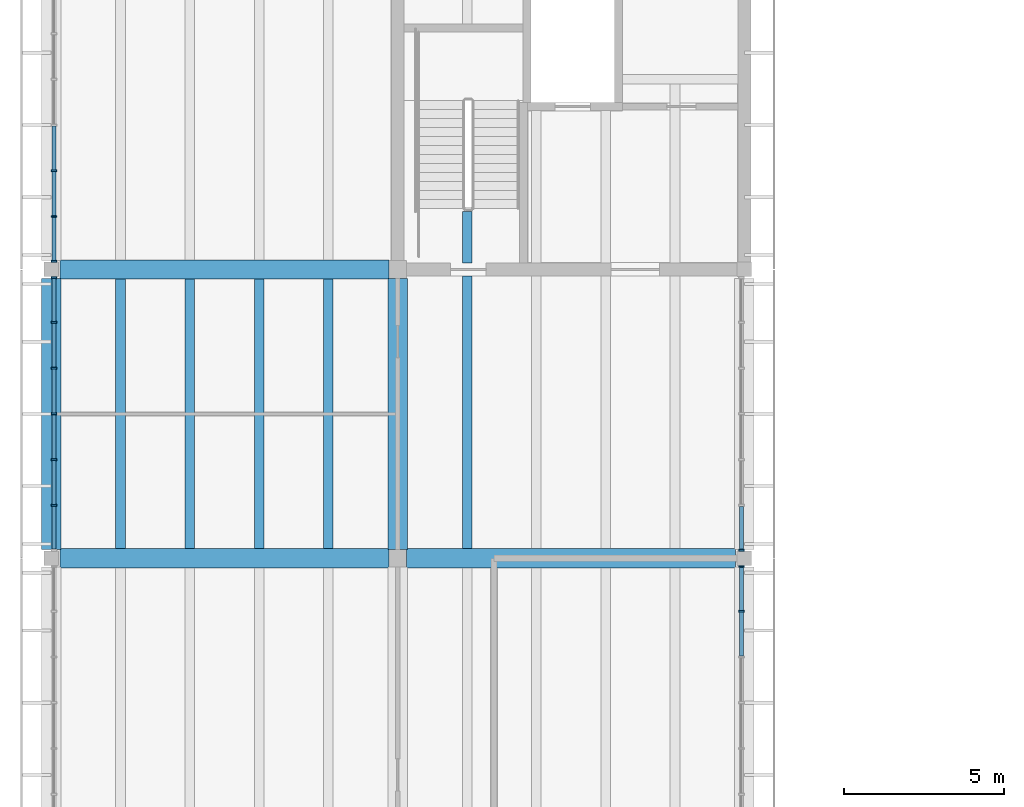
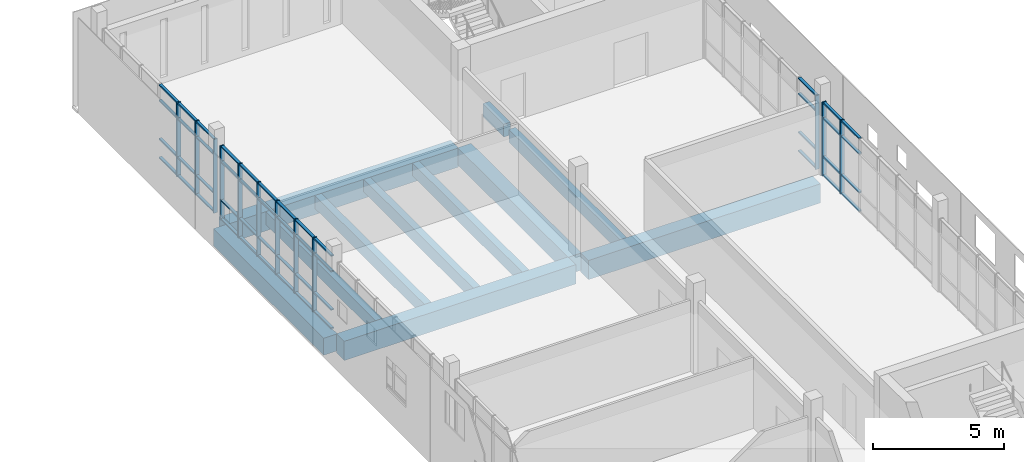
# One storey, part 14 of 50: 60 members, 11 beams, 4 elements without a shape of their own.
"""IFC4 building model written with IfcOpenShell, lengths in metres."""

import ifcopenshell
import ifcopenshell.guid

model = None  # the IFC model being written
_history = None  # IfcOwnerHistory: only IFC2X3 demands one
_inside = {}  # id of a spatial element -> (the spatial element, [elements in it])
_under = {}  # id of a project, library or spatial element -> (it, [spatial elements below it])
_declared = {}  # id of a project -> (the project, [libraries it declares])
_typed = {}  # id of a type object -> (the type object, [elements of that type])
_made_of = {}  # id of a material, layer set ... -> (it, [elements and type objects made of it])


def new_model(schema):
    """Start an empty IFC model of exactly this schema.

    Asked for "IFC4X3", IfcOpenShell would pick the latest addendum, in which some entities
    have other attributes; the version numbers below select the first issue.
    IFC2X3 requires an IfcOwnerHistory on every rooted entity: one is made here for all.
    """
    global model, _history
    if schema == "IFC4X3":
        model = ifcopenshell.file(schema_version=(4, 3, 0, 0))
    else:
        model = ifcopenshell.file(schema=schema)
    _inside.clear()
    _under.clear()
    _declared.clear()
    _typed.clear()
    _made_of.clear()
    _history = None
    if model.schema == "IFC2X3":
        org = make("IfcOrganization", Name="unknown")
        user = make(
            "IfcPersonAndOrganization",
            ThePerson=make("IfcPerson", FamilyName="unknown"),
            TheOrganization=org,
        )
        app = make(
            "IfcApplication",
            ApplicationDeveloper=org,
            Version="unknown",
            ApplicationFullName="unknown",
            ApplicationIdentifier="unknown",
        )
        _history = make(
            "IfcOwnerHistory",
            OwningUser=user,
            OwningApplication=app,
            ChangeAction="ADDED",
            CreationDate=0,
        )
    return model


def make(cls, **values):
    """One entity of the class cls with the attributes given. An attribute that is None is left unset."""
    return model.create_entity(
        cls, **{name: value for name, value in values.items() if value is not None}
    )


def rooted(cls, **values):
    """An entity with a GlobalId (a new one), such as an element, a storey or a relation."""
    return make(cls, GlobalId=ifcopenshell.guid.new(), OwnerHistory=_history, **values)


def si_unit(unit_type, name, prefix=None):
    """IfcSIUnit, for example si_unit("LENGTHUNIT", "METRE", prefix="MILLI")."""
    return make("IfcSIUnit", UnitType=unit_type, Prefix=prefix, Name=name)


def assignment(units):
    """IfcUnitAssignment: the units of a project."""
    return None if units is None else make("IfcUnitAssignment", Units=units)


def point(xyz):
    """IfcCartesianPoint."""
    return None if xyz is None else make("IfcCartesianPoint", Coordinates=xyz)


def direction(xyz):
    """IfcDirection."""
    return None if xyz is None else make("IfcDirection", DirectionRatios=xyz)


def frame(location, z_axis=None, x_axis=None):
    """IfcAxis2Placement3D, a coordinate frame: its origin and axes. An axis left out is left unset."""
    return make(
        "IfcAxis2Placement3D",
        Location=point(location),
        Axis=direction(z_axis),
        RefDirection=direction(x_axis),
    )


def frame_2d(location, x_axis=None):
    """IfcAxis2Placement2D, a coordinate frame in the plane: its origin and x axis."""
    return make(
        "IfcAxis2Placement2D", Location=point(location), RefDirection=direction(x_axis)
    )


def origin():
    """The frame at (0, 0, 0) with its axes left unset."""
    return frame((0.0, 0.0, 0.0))


def origin_2d():
    """The frame at (0, 0) in the plane with its x axis left unset."""
    return frame_2d((0.0, 0.0))


def place(relative_to, where):
    """IfcLocalPlacement: puts the frame where relative to a parent placement (None: the world)."""
    return make(
        "IfcLocalPlacement", PlacementRelTo=relative_to, RelativePlacement=where
    )


def context(
    kind, dimensions, precision=None, world=None, true_north=None, identifier=None
):
    """IfcGeometricRepresentationContext, for example the 3D "Model" context."""
    return make(
        "IfcGeometricRepresentationContext",
        ContextIdentifier=identifier,
        ContextType=kind,
        CoordinateSpaceDimension=dimensions,
        Precision=precision,
        WorldCoordinateSystem=world,
        TrueNorth=true_north,
    )


def subcontext(parent, identifier, kind, view, scale=None):
    """IfcGeometricRepresentationSubContext, for example "Body" below "Model"."""
    return make(
        "IfcGeometricRepresentationSubContext",
        ContextIdentifier=identifier,
        ContextType=kind,
        ParentContext=parent,
        TargetScale=scale,
        TargetView=view,
    )


def project(units=None, contexts=None):
    """IfcProject with its units and contexts."""
    return rooted(
        "IfcProject",
        Name="project",
        RepresentationContexts=contexts,
        UnitsInContext=assignment(units),
    )


def spatial(cls, under=None, at=None, **own):
    """A site, building, storey or space (cls), placed at a placement, below another one or the project."""
    s = rooted(cls, ObjectPlacement=at, **own)
    if under is not None:
        _under.setdefault(under.id(), (under, []))[1].append(s)
    return s


def profile(cls, at=None, kind="AREA", **sizes):
    """A parametric profile (cls). Its sizes go by their IFC names, for example OverallWidth=200.0."""
    return make(cls, ProfileType=kind, Position=at, **sizes)


def rectangle(**sizes):
    """IfcRectangleProfileDef."""
    return profile("IfcRectangleProfileDef", **sizes)


def extrude(swept, where, along, depth):
    """IfcExtrudedAreaSolid: the profile swept, set in the frame where, extruded along a direction by depth."""
    return make(
        "IfcExtrudedAreaSolid",
        SweptArea=swept,
        Position=where,
        ExtrudedDirection=direction(along),
        Depth=depth,
    )


def shape(context_of_items, identifier, shape_type, items):
    """IfcShapeRepresentation: the items that make up one representation, for example the "Body"."""
    return make(
        "IfcShapeRepresentation",
        ContextOfItems=context_of_items,
        RepresentationIdentifier=identifier,
        RepresentationType=shape_type,
        Items=items,
    )


def material(Name=None, Category=None):
    """IfcMaterial."""
    return make("IfcMaterial", Name=Name, Category=Category)


def material_profile(
    of_material, cross_section, Name=None, Category=None, Priority=None
):
    """IfcMaterialProfile: a cross section and its material."""
    return make(
        "IfcMaterialProfile",
        Name=Name,
        Material=of_material,
        Profile=cross_section,
        Priority=Priority,
        Category=Category,
    )


def profile_set(profiles, Name=None, composite=None):
    """IfcMaterialProfileSet."""
    return make(
        "IfcMaterialProfileSet",
        Name=Name,
        MaterialProfiles=profiles,
        CompositeProfile=composite,
    )


def made_of(thing, what):
    """Note that an element or type object is made of a material, layer set ...; save() writes the relation."""
    if what is not None:
        _made_of.setdefault(what.id(), (what, []))[1].append(thing)
    return thing


def type_object(cls, material=None, **own):
    """A type object (cls), such as IfcWallType, which elements share."""
    return made_of(rooted(cls, **own), material)


def element(
    cls,
    number,
    at=None,
    inside=None,
    cuts=None,
    type_object=None,
    material=None,
    context=None,
    identifier="Body",
    shape_type=None,
    held_by="IfcProductDefinitionShape",
    body=None,
    shapes=None,
    **own,
):
    """One element of the class cls, such as IfcWall. Its Tag is "e" and its number.

    at: its placement. inside: the storey or other place that contains it. cuts: it is an
    opening in that element (IfcRelVoidsElement). A single representation is given by context,
    identifier, shape_type and body (its items); several are given by shapes. held_by: the class
    of the entity that holds the representations. save() writes the other relations.
    """
    e = rooted(cls, Tag="e%d" % number, ObjectPlacement=at, **own)
    if body is not None:
        shapes = [shape(context, identifier, shape_type, body)]
    if shapes is not None:
        e.Representation = make(held_by, Representations=shapes)
    if inside is not None:
        _inside.setdefault(inside.id(), (inside, []))[1].append(e)
    if cuts is not None:
        rooted(
            "IfcRelVoidsElement", RelatingBuildingElement=cuts, RelatedOpeningElement=e
        )
    if type_object is not None:
        _typed.setdefault(type_object.id(), (type_object, []))[1].append(e)
    return made_of(e, material)


def aggregate(whole, parts):
    """IfcRelAggregates: a whole, such as a stair, and the parts it consists of."""
    return rooted("IfcRelAggregates", RelatingObject=whole, RelatedObjects=parts)


def save(model, path):
    """Write the relations noted so far, then the file.

    IfcRelAggregates (storeys below a building ...), IfcRelContainedInSpatialStructure (elements
    in a storey), IfcRelDefinesByType, IfcRelAssociatesMaterial and IfcRelDeclares: one each for
    every whole, place, type object, material and project.
    """
    for whole, parts in _under.values():
        aggregate(whole, parts)
    for where, things in _inside.values():
        rooted(
            "IfcRelContainedInSpatialStructure",
            RelatedElements=things,
            RelatingStructure=where,
        )
    for kind, things in _typed.values():
        rooted("IfcRelDefinesByType", RelatedObjects=things, RelatingType=kind)
    for what, things in _made_of.values():
        rooted("IfcRelAssociatesMaterial", RelatedObjects=things, RelatingMaterial=what)
    for by, libraries in _declared.values():
        rooted("IfcRelDeclares", RelatingContext=by, RelatedDefinitions=libraries)
    model.write(path)


model = new_model("IFC4")

# Units and contexts
model_context = context("Model", 3, precision=1e-05, world=origin(), true_north=direction((0.0, 1.0)))
body_context = subcontext(model_context, "Body", "Model", "MODEL_VIEW")
ifc_project = project(units=[si_unit("LENGTHUNIT", "METRE"), si_unit("AREAUNIT", "SQUARE_METRE"), si_unit("VOLUMEUNIT", "CUBIC_METRE"), si_unit("PLANEANGLEUNIT", "RADIAN"), si_unit("MASSUNIT", "GRAM", prefix="KILO")], contexts=[model_context])

# Site, building, storey
site_placement = place(None, origin())
site = spatial("IfcSite", under=ifc_project, at=site_placement, CompositionType="ELEMENT")
building_placement = place(site_placement, origin())
building = spatial("IfcBuilding", under=site, at=building_placement, Name="Merrow Basin Faculty of Sciences", CompositionType="ELEMENT")
storey_placement = place(building_placement, frame((0.0, 0.0, 18.0)))
storey = spatial("IfcBuildingStorey", under=building, at=storey_placement, Name="L04", CompositionType="ELEMENT", Elevation=18.0)

# Curtain wall, members
ifc_material_1 = material(Name="Aluminium alloy 6063", Category="aluminium")
curtain_wall_type = type_object("IfcCurtainWallType", Name="Bar unitised curtain wall 180", PredefinedType="NOTDEFINED", material=ifc_material_1)
curtain_wall_1_placement = place(storey_placement, origin())
curtain_wall_1 = element("IfcCurtainWall", 1, at=curtain_wall_1_placement, inside=storey, type_object=curtain_wall_type, Name="West curtain wall L04 6", PredefinedType="NOTDEFINED")
ifc_material_2 = material(Name="Aluminium alloy 6063", Category="aluminium")
ifc_material_profile_1 = material_profile(ifc_material_2, rectangle(XDim=0.179931640625, YDim=0.06005859375, at=origin_2d()))
ifc_profile_set_1 = profile_set([ifc_material_profile_1], Name="Aluminium alloy 6063")
member_type_1 = type_object("IfcMemberType", Name="Aluminium mullion 60x180", PredefinedType="MULLION", material=ifc_profile_set_1)
member_1_placement = place(storey_placement, frame((0.090087890625, 116.64990234375, 0.0), z_axis=(0.0, 0.0, 1.0), x_axis=(-1.0, 0.0, 0.0)))
member_1 = element("IfcMember", 2, at=member_1_placement, type_object=member_type_1, Name="CW1 mullion 2", PredefinedType="MULLION", context=body_context, shape_type="SweptSolid", body=[
    extrude(rectangle(XDim=0.179931640625, YDim=0.06005859375, at=origin_2d()), origin(), (0.0, 0.0, 1.0), 3.449951171875),
])
member_2_placement = place(storey_placement, frame((0.090087890625, 118.074951171875, 0.0), z_axis=(0.0, 0.0, 1.0), x_axis=(-1.0, 0.0, 0.0)))
member_2 = element("IfcMember", 3, at=member_2_placement, type_object=member_type_1, Name="CW1 mullion 3", PredefinedType="MULLION", context=body_context, shape_type="SweptSolid", body=[
    extrude(rectangle(XDim=0.179931640625, YDim=0.06005859375, at=origin_2d()), origin(), (0.0, 0.0, 1.0), 3.449951171875),
])
member_3_placement = place(storey_placement, frame((0.090087890625, 119.5, 0.0), z_axis=(0.0, 0.0, 1.0), x_axis=(-1.0, 0.0, 0.0)))
member_3 = element("IfcMember", 4, at=member_3_placement, type_object=member_type_1, Name="CW1 mullion 4", PredefinedType="MULLION", context=body_context, shape_type="SweptSolid", body=[
    extrude(rectangle(XDim=0.179931640625, YDim=0.06005859375, at=origin_2d()), origin(), (0.0, 0.0, 1.0), 3.449951171875),
])
member_4_placement = place(storey_placement, frame((0.090087890625, 120.925048828125, 0.0), z_axis=(0.0, 0.0, 1.0), x_axis=(-1.0, 0.0, 0.0)))
member_4 = element("IfcMember", 5, at=member_4_placement, type_object=member_type_1, Name="CW1 mullion 5", PredefinedType="MULLION", context=body_context, shape_type="SweptSolid", body=[
    extrude(rectangle(XDim=0.179931640625, YDim=0.06005859375, at=origin_2d()), origin(), (0.0, 0.0, 1.0), 3.449951171875),
])
member_5_placement = place(storey_placement, frame((0.090087890625, 122.35009765625, 0.0), z_axis=(0.0, 0.0, 1.0), x_axis=(-1.0, 0.0, 0.0)))
member_5 = element("IfcMember", 6, at=member_5_placement, type_object=member_type_1, Name="CW1 mullion 6", PredefinedType="MULLION", context=body_context, shape_type="SweptSolid", body=[
    extrude(rectangle(XDim=0.179931640625, YDim=0.06005859375, at=origin_2d()), origin(), (0.0, 0.0, 1.0), 3.449951171875),
])
member_6_placement = place(storey_placement, frame((0.090087890625, 123.7451171875, 0.0), z_axis=(0.0, 0.0, 1.0), x_axis=(-1.0, 0.0, 0.0)))
member_6 = element("IfcMember", 7, at=member_6_placement, type_object=member_type_1, Name="CW1 mullion 7", PredefinedType="MULLION", context=body_context, shape_type="SweptSolid", body=[
    extrude(rectangle(XDim=0.179931640625, YDim=0.06005859375, at=origin_2d()), origin(), (0.0, 0.0, 1.0), 3.449951171875),
])

curtain_wall_2_placement = place(storey_placement, origin())
curtain_wall_2 = element("IfcCurtainWall", 8, at=curtain_wall_2_placement, inside=storey, type_object=curtain_wall_type, Name="West curtain wall L04 7", PredefinedType="NOTDEFINED")
member_7_placement = place(storey_placement, frame((0.090087890625, 124.2548828125, 0.0), z_axis=(0.0, 0.0, 1.0), x_axis=(-1.0, 0.0, 0.0)))
member_7 = element("IfcMember", 9, at=member_7_placement, type_object=member_type_1, Name="CW1 mullion 1", PredefinedType="MULLION", context=body_context, shape_type="SweptSolid", body=[
    extrude(rectangle(XDim=0.179931640625, YDim=0.06005859375, at=origin_2d()), origin(), (0.0, 0.0, 1.0), 3.449951171875),
])
member_8_placement = place(storey_placement, frame((0.090087890625, 125.64990234375, 0.0), z_axis=(0.0, 0.0, 1.0), x_axis=(-1.0, 0.0, 0.0)))
member_8 = element("IfcMember", 10, at=member_8_placement, type_object=member_type_1, Name="CW1 mullion 2", PredefinedType="MULLION", context=body_context, shape_type="SweptSolid", body=[
    extrude(rectangle(XDim=0.179931640625, YDim=0.06005859375, at=origin_2d()), origin(), (0.0, 0.0, 1.0), 3.449951171875),
])
member_9_placement = place(storey_placement, frame((0.090087890625, 127.074951171875, 0.0), z_axis=(0.0, 0.0, 1.0), x_axis=(-1.0, 0.0, 0.0)))
member_9 = element("IfcMember", 11, at=member_9_placement, type_object=member_type_1, Name="CW1 mullion 3", PredefinedType="MULLION", context=body_context, shape_type="SweptSolid", body=[
    extrude(rectangle(XDim=0.179931640625, YDim=0.06005859375, at=origin_2d()), origin(), (0.0, 0.0, 1.0), 3.449951171875),
])

curtain_wall_3_placement = place(storey_placement, origin())
curtain_wall_3 = element("IfcCurtainWall", 12, at=curtain_wall_3_placement, inside=storey, type_object=curtain_wall_type, Name="East curtain wall L04 5", PredefinedType="NOTDEFINED")
member_10_placement = place(storey_placement, frame((21.510009765625, 113.35009765625, 0.0), z_axis=(0.0, 0.0, 1.0), x_axis=(-1.0, 0.0, 0.0)))
member_10 = element("IfcMember", 13, at=member_10_placement, type_object=member_type_1, Name="CW1 mullion 6", PredefinedType="MULLION", context=body_context, shape_type="SweptSolid", body=[
    extrude(rectangle(XDim=0.179931640625, YDim=0.06005859375, at=origin_2d()), origin(), (0.0, 0.0, 1.0), 3.449951171875),
])
member_11_placement = place(storey_placement, frame((21.510009765625, 114.7451171875, 0.0), z_axis=(0.0, 0.0, 1.0), x_axis=(-1.0, 0.0, 0.0)))
member_11 = element("IfcMember", 14, at=member_11_placement, type_object=member_type_1, Name="CW1 mullion 7", PredefinedType="MULLION", context=body_context, shape_type="SweptSolid", body=[
    extrude(rectangle(XDim=0.179931640625, YDim=0.06005859375, at=origin_2d()), origin(), (0.0, 0.0, 1.0), 3.449951171875),
])

# Curtain wall, member
curtain_wall_4_placement = place(storey_placement, origin())
curtain_wall_4 = element("IfcCurtainWall", 15, at=curtain_wall_4_placement, inside=storey, type_object=curtain_wall_type, Name="East curtain wall L04 6", PredefinedType="NOTDEFINED")
member_12_placement = place(storey_placement, frame((21.510009765625, 115.2548828125, 0.0), z_axis=(0.0, 0.0, 1.0), x_axis=(-1.0, 0.0, 0.0)))
member_12 = element("IfcMember", 16, at=member_12_placement, type_object=member_type_1, Name="CW1 mullion 1", PredefinedType="MULLION", context=body_context, shape_type="SweptSolid", body=[
    extrude(rectangle(XDim=0.179931640625, YDim=0.06005859375, at=origin_2d()), origin(), (0.0, 0.0, 1.0), 3.449951171875),
])

# Member
ifc_material_3 = material(Name="Aluminium alloy 6063", Category="aluminium")
ifc_material_profile_2 = material_profile(ifc_material_3, rectangle(XDim=0.1201171875, YDim=0.06005859375, at=origin_2d()))
ifc_profile_set_2 = profile_set([ifc_material_profile_2], Name="Aluminium alloy 6063")
member_type_2 = type_object("IfcMemberType", Name="Aluminium transom 60x120", PredefinedType="USERDEFINED", material=ifc_profile_set_2)
member_13_placement = place(storey_placement, frame((0.090087890625, 115.284912109375, 0.030029296875), z_axis=(0.0, 1.0, 0.0), x_axis=(-1.0, 0.0, 0.0)))
member_13 = element("IfcMember", 17, at=member_13_placement, type_object=member_type_2, Name="CW1 transom 1.1", ObjectType="TRANSOM", PredefinedType="USERDEFINED", context=body_context, shape_type="SweptSolid", body=[
    extrude(rectangle(XDim=0.1201171875, YDim=0.06005859375, at=origin_2d()), origin(), (0.0, 0.0, 1.0), 1.335205078125),
])

member_14_placement = place(storey_placement, frame((0.090087890625, 115.284912109375, 0.89990234375), z_axis=(0.0, 1.0, 0.0), x_axis=(-1.0, 0.0, 0.0)))
member_14 = element("IfcMember", 18, at=member_14_placement, type_object=member_type_2, Name="CW1 transom 1.2", ObjectType="TRANSOM", PredefinedType="USERDEFINED", context=body_context, shape_type="SweptSolid", body=[
    extrude(rectangle(XDim=0.1201171875, YDim=0.06005859375, at=origin_2d()), origin(), (0.0, 0.0, 1.0), 1.335205078125),
])

member_15_placement = place(storey_placement, frame((0.090087890625, 115.284912109375, 2.699951171875), z_axis=(0.0, 1.0, 0.0), x_axis=(-1.0, 0.0, 0.0)))
member_15 = element("IfcMember", 19, at=member_15_placement, type_object=member_type_2, Name="CW1 transom 1.3", ObjectType="TRANSOM", PredefinedType="USERDEFINED", context=body_context, shape_type="SweptSolid", body=[
    extrude(rectangle(XDim=0.1201171875, YDim=0.06005859375, at=origin_2d()), origin(), (0.0, 0.0, 1.0), 1.335205078125),
])

member_16_placement = place(storey_placement, frame((0.090087890625, 115.284912109375, 3.419921875), z_axis=(0.0, 1.0, 0.0), x_axis=(-1.0, 0.0, 0.0)))
member_16 = element("IfcMember", 20, at=member_16_placement, type_object=member_type_2, Name="CW1 transom 1.4", ObjectType="TRANSOM", PredefinedType="USERDEFINED", context=body_context, shape_type="SweptSolid", body=[
    extrude(rectangle(XDim=0.1201171875, YDim=0.06005859375, at=origin_2d()), origin(), (0.0, 0.0, 1.0), 1.335205078125),
])

member_17_placement = place(storey_placement, frame((0.090087890625, 116.679931640625, 0.030029296875), z_axis=(0.0, 1.0, 0.0), x_axis=(-1.0, 0.0, 0.0)))
member_17 = element("IfcMember", 21, at=member_17_placement, type_object=member_type_2, Name="CW1 transom 2.1", ObjectType="TRANSOM", PredefinedType="USERDEFINED", context=body_context, shape_type="SweptSolid", body=[
    extrude(rectangle(XDim=0.1201171875, YDim=0.06005859375, at=origin_2d()), origin(), (0.0, 0.0, 1.0), 1.364990234375),
])

member_18_placement = place(storey_placement, frame((0.090087890625, 116.679931640625, 0.89990234375), z_axis=(0.0, 1.0, 0.0), x_axis=(-1.0, 0.0, 0.0)))
member_18 = element("IfcMember", 22, at=member_18_placement, type_object=member_type_2, Name="CW1 transom 2.2", ObjectType="TRANSOM", PredefinedType="USERDEFINED", context=body_context, shape_type="SweptSolid", body=[
    extrude(rectangle(XDim=0.1201171875, YDim=0.06005859375, at=origin_2d()), origin(), (0.0, 0.0, 1.0), 1.364990234375),
])

member_19_placement = place(storey_placement, frame((0.090087890625, 116.679931640625, 2.699951171875), z_axis=(0.0, 1.0, 0.0), x_axis=(-1.0, 0.0, 0.0)))
member_19 = element("IfcMember", 23, at=member_19_placement, type_object=member_type_2, Name="CW1 transom 2.3", ObjectType="TRANSOM", PredefinedType="USERDEFINED", context=body_context, shape_type="SweptSolid", body=[
    extrude(rectangle(XDim=0.1201171875, YDim=0.06005859375, at=origin_2d()), origin(), (0.0, 0.0, 1.0), 1.364990234375),
])

member_20_placement = place(storey_placement, frame((0.090087890625, 116.679931640625, 3.419921875), z_axis=(0.0, 1.0, 0.0), x_axis=(-1.0, 0.0, 0.0)))
member_20 = element("IfcMember", 24, at=member_20_placement, type_object=member_type_2, Name="CW1 transom 2.4", ObjectType="TRANSOM", PredefinedType="USERDEFINED", context=body_context, shape_type="SweptSolid", body=[
    extrude(rectangle(XDim=0.1201171875, YDim=0.06005859375, at=origin_2d()), origin(), (0.0, 0.0, 1.0), 1.364990234375),
])

member_21_placement = place(storey_placement, frame((0.090087890625, 118.10498046875, 0.030029296875), z_axis=(0.0, 1.0, 0.0), x_axis=(-1.0, 0.0, 0.0)))
member_21 = element("IfcMember", 25, at=member_21_placement, type_object=member_type_2, Name="CW1 transom 3.1", ObjectType="TRANSOM", PredefinedType="USERDEFINED", context=body_context, shape_type="SweptSolid", body=[
    extrude(rectangle(XDim=0.1201171875, YDim=0.06005859375, at=origin_2d()), origin(), (0.0, 0.0, 1.0), 1.364990234375),
])

member_22_placement = place(storey_placement, frame((0.090087890625, 118.10498046875, 0.89990234375), z_axis=(0.0, 1.0, 0.0), x_axis=(-1.0, 0.0, 0.0)))
member_22 = element("IfcMember", 26, at=member_22_placement, type_object=member_type_2, Name="CW1 transom 3.2", ObjectType="TRANSOM", PredefinedType="USERDEFINED", context=body_context, shape_type="SweptSolid", body=[
    extrude(rectangle(XDim=0.1201171875, YDim=0.06005859375, at=origin_2d()), origin(), (0.0, 0.0, 1.0), 1.364990234375),
])

member_23_placement = place(storey_placement, frame((0.090087890625, 118.10498046875, 2.699951171875), z_axis=(0.0, 1.0, 0.0), x_axis=(-1.0, 0.0, 0.0)))
member_23 = element("IfcMember", 27, at=member_23_placement, type_object=member_type_2, Name="CW1 transom 3.3", ObjectType="TRANSOM", PredefinedType="USERDEFINED", context=body_context, shape_type="SweptSolid", body=[
    extrude(rectangle(XDim=0.1201171875, YDim=0.06005859375, at=origin_2d()), origin(), (0.0, 0.0, 1.0), 1.364990234375),
])

member_24_placement = place(storey_placement, frame((0.090087890625, 118.10498046875, 3.419921875), z_axis=(0.0, 1.0, 0.0), x_axis=(-1.0, 0.0, 0.0)))
member_24 = element("IfcMember", 28, at=member_24_placement, type_object=member_type_2, Name="CW1 transom 3.4", ObjectType="TRANSOM", PredefinedType="USERDEFINED", context=body_context, shape_type="SweptSolid", body=[
    extrude(rectangle(XDim=0.1201171875, YDim=0.06005859375, at=origin_2d()), origin(), (0.0, 0.0, 1.0), 1.364990234375),
])

member_25_placement = place(storey_placement, frame((0.090087890625, 119.530029296875, 0.030029296875), z_axis=(0.0, 1.0, 0.0), x_axis=(-1.0, 0.0, 0.0)))
member_25 = element("IfcMember", 29, at=member_25_placement, type_object=member_type_2, Name="CW1 transom 4.1", ObjectType="TRANSOM", PredefinedType="USERDEFINED", context=body_context, shape_type="SweptSolid", body=[
    extrude(rectangle(XDim=0.1201171875, YDim=0.06005859375, at=origin_2d()), origin(), (0.0, 0.0, 1.0), 1.364990234375),
])

member_26_placement = place(storey_placement, frame((0.090087890625, 119.530029296875, 0.89990234375), z_axis=(0.0, 1.0, 0.0), x_axis=(-1.0, 0.0, 0.0)))
member_26 = element("IfcMember", 30, at=member_26_placement, type_object=member_type_2, Name="CW1 transom 4.2", ObjectType="TRANSOM", PredefinedType="USERDEFINED", context=body_context, shape_type="SweptSolid", body=[
    extrude(rectangle(XDim=0.1201171875, YDim=0.06005859375, at=origin_2d()), origin(), (0.0, 0.0, 1.0), 1.364990234375),
])

member_27_placement = place(storey_placement, frame((0.090087890625, 119.530029296875, 2.699951171875), z_axis=(0.0, 1.0, 0.0), x_axis=(-1.0, 0.0, 0.0)))
member_27 = element("IfcMember", 31, at=member_27_placement, type_object=member_type_2, Name="CW1 transom 4.3", ObjectType="TRANSOM", PredefinedType="USERDEFINED", context=body_context, shape_type="SweptSolid", body=[
    extrude(rectangle(XDim=0.1201171875, YDim=0.06005859375, at=origin_2d()), origin(), (0.0, 0.0, 1.0), 1.364990234375),
])

member_28_placement = place(storey_placement, frame((0.090087890625, 119.530029296875, 3.419921875), z_axis=(0.0, 1.0, 0.0), x_axis=(-1.0, 0.0, 0.0)))
member_28 = element("IfcMember", 32, at=member_28_placement, type_object=member_type_2, Name="CW1 transom 4.4", ObjectType="TRANSOM", PredefinedType="USERDEFINED", context=body_context, shape_type="SweptSolid", body=[
    extrude(rectangle(XDim=0.1201171875, YDim=0.06005859375, at=origin_2d()), origin(), (0.0, 0.0, 1.0), 1.364990234375),
])

member_29_placement = place(storey_placement, frame((0.090087890625, 120.955078125, 0.030029296875), z_axis=(0.0, 1.0, 0.0), x_axis=(-1.0, 0.0, 0.0)))
member_29 = element("IfcMember", 33, at=member_29_placement, type_object=member_type_2, Name="CW1 transom 5.1", ObjectType="TRANSOM", PredefinedType="USERDEFINED", context=body_context, shape_type="SweptSolid", body=[
    extrude(rectangle(XDim=0.1201171875, YDim=0.06005859375, at=origin_2d()), origin(), (0.0, 0.0, 1.0), 1.364990234375),
])

member_30_placement = place(storey_placement, frame((0.090087890625, 120.955078125, 0.89990234375), z_axis=(0.0, 1.0, 0.0), x_axis=(-1.0, 0.0, 0.0)))
member_30 = element("IfcMember", 34, at=member_30_placement, type_object=member_type_2, Name="CW1 transom 5.2", ObjectType="TRANSOM", PredefinedType="USERDEFINED", context=body_context, shape_type="SweptSolid", body=[
    extrude(rectangle(XDim=0.1201171875, YDim=0.06005859375, at=origin_2d()), origin(), (0.0, 0.0, 1.0), 1.364990234375),
])

member_31_placement = place(storey_placement, frame((0.090087890625, 120.955078125, 2.699951171875), z_axis=(0.0, 1.0, 0.0), x_axis=(-1.0, 0.0, 0.0)))
member_31 = element("IfcMember", 35, at=member_31_placement, type_object=member_type_2, Name="CW1 transom 5.3", ObjectType="TRANSOM", PredefinedType="USERDEFINED", context=body_context, shape_type="SweptSolid", body=[
    extrude(rectangle(XDim=0.1201171875, YDim=0.06005859375, at=origin_2d()), origin(), (0.0, 0.0, 1.0), 1.364990234375),
])

member_32_placement = place(storey_placement, frame((0.090087890625, 120.955078125, 3.419921875), z_axis=(0.0, 1.0, 0.0), x_axis=(-1.0, 0.0, 0.0)))
member_32 = element("IfcMember", 36, at=member_32_placement, type_object=member_type_2, Name="CW1 transom 5.4", ObjectType="TRANSOM", PredefinedType="USERDEFINED", context=body_context, shape_type="SweptSolid", body=[
    extrude(rectangle(XDim=0.1201171875, YDim=0.06005859375, at=origin_2d()), origin(), (0.0, 0.0, 1.0), 1.364990234375),
])

member_33_placement = place(storey_placement, frame((0.090087890625, 122.3798828125, 0.030029296875), z_axis=(0.0, 1.0, 0.0), x_axis=(-1.0, 0.0, 0.0)))
member_33 = element("IfcMember", 37, at=member_33_placement, type_object=member_type_2, Name="CW1 transom 6.1", ObjectType="TRANSOM", PredefinedType="USERDEFINED", context=body_context, shape_type="SweptSolid", body=[
    extrude(rectangle(XDim=0.1201171875, YDim=0.06005859375, at=origin_2d()), origin(), (0.0, 0.0, 1.0), 1.335205078125),
])

member_34_placement = place(storey_placement, frame((0.090087890625, 122.3798828125, 0.89990234375), z_axis=(0.0, 1.0, 0.0), x_axis=(-1.0, 0.0, 0.0)))
member_34 = element("IfcMember", 38, at=member_34_placement, type_object=member_type_2, Name="CW1 transom 6.2", ObjectType="TRANSOM", PredefinedType="USERDEFINED", context=body_context, shape_type="SweptSolid", body=[
    extrude(rectangle(XDim=0.1201171875, YDim=0.06005859375, at=origin_2d()), origin(), (0.0, 0.0, 1.0), 1.335205078125),
])

member_35_placement = place(storey_placement, frame((0.090087890625, 122.3798828125, 2.699951171875), z_axis=(0.0, 1.0, 0.0), x_axis=(-1.0, 0.0, 0.0)))
member_35 = element("IfcMember", 39, at=member_35_placement, type_object=member_type_2, Name="CW1 transom 6.3", ObjectType="TRANSOM", PredefinedType="USERDEFINED", context=body_context, shape_type="SweptSolid", body=[
    extrude(rectangle(XDim=0.1201171875, YDim=0.06005859375, at=origin_2d()), origin(), (0.0, 0.0, 1.0), 1.335205078125),
])

member_36_placement = place(storey_placement, frame((0.090087890625, 122.3798828125, 3.419921875), z_axis=(0.0, 1.0, 0.0), x_axis=(-1.0, 0.0, 0.0)))
member_36 = element("IfcMember", 40, at=member_36_placement, type_object=member_type_2, Name="CW1 transom 6.4", ObjectType="TRANSOM", PredefinedType="USERDEFINED", context=body_context, shape_type="SweptSolid", body=[
    extrude(rectangle(XDim=0.1201171875, YDim=0.06005859375, at=origin_2d()), origin(), (0.0, 0.0, 1.0), 1.335205078125),
])

aggregate(curtain_wall_1, [member_1, member_2, member_3, member_4, member_5, member_6, member_13, member_14, member_15, member_16, member_17, member_18, member_19, member_20, member_21, member_22, member_23, member_24, member_25, member_26, member_27, member_28, member_29, member_30, member_31, member_32, member_33, member_34, member_35, member_36])

member_37_placement = place(storey_placement, frame((0.090087890625, 124.284912109375, 0.030029296875), z_axis=(0.0, 1.0, 0.0), x_axis=(-1.0, 0.0, 0.0)))
member_37 = element("IfcMember", 41, at=member_37_placement, type_object=member_type_2, Name="CW1 transom 1.1", ObjectType="TRANSOM", PredefinedType="USERDEFINED", context=body_context, shape_type="SweptSolid", body=[
    extrude(rectangle(XDim=0.1201171875, YDim=0.06005859375, at=origin_2d()), origin(), (0.0, 0.0, 1.0), 1.335205078125),
])

member_38_placement = place(storey_placement, frame((0.090087890625, 124.284912109375, 0.89990234375), z_axis=(0.0, 1.0, 0.0), x_axis=(-1.0, 0.0, 0.0)))
member_38 = element("IfcMember", 42, at=member_38_placement, type_object=member_type_2, Name="CW1 transom 1.2", ObjectType="TRANSOM", PredefinedType="USERDEFINED", context=body_context, shape_type="SweptSolid", body=[
    extrude(rectangle(XDim=0.1201171875, YDim=0.06005859375, at=origin_2d()), origin(), (0.0, 0.0, 1.0), 1.335205078125),
])

member_39_placement = place(storey_placement, frame((0.090087890625, 124.284912109375, 2.699951171875), z_axis=(0.0, 1.0, 0.0), x_axis=(-1.0, 0.0, 0.0)))
member_39 = element("IfcMember", 43, at=member_39_placement, type_object=member_type_2, Name="CW1 transom 1.3", ObjectType="TRANSOM", PredefinedType="USERDEFINED", context=body_context, shape_type="SweptSolid", body=[
    extrude(rectangle(XDim=0.1201171875, YDim=0.06005859375, at=origin_2d()), origin(), (0.0, 0.0, 1.0), 1.335205078125),
])

member_40_placement = place(storey_placement, frame((0.090087890625, 124.284912109375, 3.419921875), z_axis=(0.0, 1.0, 0.0), x_axis=(-1.0, 0.0, 0.0)))
member_40 = element("IfcMember", 44, at=member_40_placement, type_object=member_type_2, Name="CW1 transom 1.4", ObjectType="TRANSOM", PredefinedType="USERDEFINED", context=body_context, shape_type="SweptSolid", body=[
    extrude(rectangle(XDim=0.1201171875, YDim=0.06005859375, at=origin_2d()), origin(), (0.0, 0.0, 1.0), 1.335205078125),
])

member_41_placement = place(storey_placement, frame((0.090087890625, 125.679931640625, 0.030029296875), z_axis=(0.0, 1.0, 0.0), x_axis=(-1.0, 0.0, 0.0)))
member_41 = element("IfcMember", 45, at=member_41_placement, type_object=member_type_2, Name="CW1 transom 2.1", ObjectType="TRANSOM", PredefinedType="USERDEFINED", context=body_context, shape_type="SweptSolid", body=[
    extrude(rectangle(XDim=0.1201171875, YDim=0.06005859375, at=origin_2d()), origin(), (0.0, 0.0, 1.0), 1.364990234375),
])

member_42_placement = place(storey_placement, frame((0.090087890625, 125.679931640625, 0.89990234375), z_axis=(0.0, 1.0, 0.0), x_axis=(-1.0, 0.0, 0.0)))
member_42 = element("IfcMember", 46, at=member_42_placement, type_object=member_type_2, Name="CW1 transom 2.2", ObjectType="TRANSOM", PredefinedType="USERDEFINED", context=body_context, shape_type="SweptSolid", body=[
    extrude(rectangle(XDim=0.1201171875, YDim=0.06005859375, at=origin_2d()), origin(), (0.0, 0.0, 1.0), 1.364990234375),
])

member_43_placement = place(storey_placement, frame((0.090087890625, 125.679931640625, 2.699951171875), z_axis=(0.0, 1.0, 0.0), x_axis=(-1.0, 0.0, 0.0)))
member_43 = element("IfcMember", 47, at=member_43_placement, type_object=member_type_2, Name="CW1 transom 2.3", ObjectType="TRANSOM", PredefinedType="USERDEFINED", context=body_context, shape_type="SweptSolid", body=[
    extrude(rectangle(XDim=0.1201171875, YDim=0.06005859375, at=origin_2d()), origin(), (0.0, 0.0, 1.0), 1.364990234375),
])

member_44_placement = place(storey_placement, frame((0.090087890625, 125.679931640625, 3.419921875), z_axis=(0.0, 1.0, 0.0), x_axis=(-1.0, 0.0, 0.0)))
member_44 = element("IfcMember", 48, at=member_44_placement, type_object=member_type_2, Name="CW1 transom 2.4", ObjectType="TRANSOM", PredefinedType="USERDEFINED", context=body_context, shape_type="SweptSolid", body=[
    extrude(rectangle(XDim=0.1201171875, YDim=0.06005859375, at=origin_2d()), origin(), (0.0, 0.0, 1.0), 1.364990234375),
])

member_45_placement = place(storey_placement, frame((0.090087890625, 127.10498046875, 0.030029296875), z_axis=(0.0, 1.0, 0.0), x_axis=(-1.0, 0.0, 0.0)))
member_45 = element("IfcMember", 49, at=member_45_placement, type_object=member_type_2, Name="CW1 transom 3.1", ObjectType="TRANSOM", PredefinedType="USERDEFINED", context=body_context, shape_type="SweptSolid", body=[
    extrude(rectangle(XDim=0.1201171875, YDim=0.06005859375, at=origin_2d()), origin(), (0.0, 0.0, 1.0), 1.364990234375),
])

member_46_placement = place(storey_placement, frame((0.090087890625, 127.10498046875, 0.89990234375), z_axis=(0.0, 1.0, 0.0), x_axis=(-1.0, 0.0, 0.0)))
member_46 = element("IfcMember", 50, at=member_46_placement, type_object=member_type_2, Name="CW1 transom 3.2", ObjectType="TRANSOM", PredefinedType="USERDEFINED", context=body_context, shape_type="SweptSolid", body=[
    extrude(rectangle(XDim=0.1201171875, YDim=0.06005859375, at=origin_2d()), origin(), (0.0, 0.0, 1.0), 1.364990234375),
])

member_47_placement = place(storey_placement, frame((0.090087890625, 127.10498046875, 2.699951171875), z_axis=(0.0, 1.0, 0.0), x_axis=(-1.0, 0.0, 0.0)))
member_47 = element("IfcMember", 51, at=member_47_placement, type_object=member_type_2, Name="CW1 transom 3.3", ObjectType="TRANSOM", PredefinedType="USERDEFINED", context=body_context, shape_type="SweptSolid", body=[
    extrude(rectangle(XDim=0.1201171875, YDim=0.06005859375, at=origin_2d()), origin(), (0.0, 0.0, 1.0), 1.364990234375),
])

member_48_placement = place(storey_placement, frame((0.090087890625, 127.10498046875, 3.419921875), z_axis=(0.0, 1.0, 0.0), x_axis=(-1.0, 0.0, 0.0)))
member_48 = element("IfcMember", 52, at=member_48_placement, type_object=member_type_2, Name="CW1 transom 3.4", ObjectType="TRANSOM", PredefinedType="USERDEFINED", context=body_context, shape_type="SweptSolid", body=[
    extrude(rectangle(XDim=0.1201171875, YDim=0.06005859375, at=origin_2d()), origin(), (0.0, 0.0, 1.0), 1.364990234375),
])

aggregate(curtain_wall_2, [member_7, member_8, member_9, member_37, member_38, member_39, member_40, member_41, member_42, member_43, member_44, member_45, member_46, member_47, member_48])

member_49_placement = place(storey_placement, frame((21.510009765625, 111.955078125, 0.030029296875), z_axis=(0.0, 1.0, 0.0), x_axis=(-1.0, 0.0, 0.0)))
member_49 = element("IfcMember", 53, at=member_49_placement, type_object=member_type_2, Name="CW1 transom 5.1", ObjectType="TRANSOM", PredefinedType="USERDEFINED", context=body_context, shape_type="SweptSolid", body=[
    extrude(rectangle(XDim=0.1201171875, YDim=0.06005859375, at=origin_2d()), origin(), (0.0, 0.0, 1.0), 1.364990234375),
])

member_50_placement = place(storey_placement, frame((21.510009765625, 111.955078125, 0.89990234375), z_axis=(0.0, 1.0, 0.0), x_axis=(-1.0, 0.0, 0.0)))
member_50 = element("IfcMember", 54, at=member_50_placement, type_object=member_type_2, Name="CW1 transom 5.2", ObjectType="TRANSOM", PredefinedType="USERDEFINED", context=body_context, shape_type="SweptSolid", body=[
    extrude(rectangle(XDim=0.1201171875, YDim=0.06005859375, at=origin_2d()), origin(), (0.0, 0.0, 1.0), 1.364990234375),
])

member_51_placement = place(storey_placement, frame((21.510009765625, 111.955078125, 2.699951171875), z_axis=(0.0, 1.0, 0.0), x_axis=(-1.0, 0.0, 0.0)))
member_51 = element("IfcMember", 55, at=member_51_placement, type_object=member_type_2, Name="CW1 transom 5.3", ObjectType="TRANSOM", PredefinedType="USERDEFINED", context=body_context, shape_type="SweptSolid", body=[
    extrude(rectangle(XDim=0.1201171875, YDim=0.06005859375, at=origin_2d()), origin(), (0.0, 0.0, 1.0), 1.364990234375),
])

member_52_placement = place(storey_placement, frame((21.510009765625, 111.955078125, 3.419921875), z_axis=(0.0, 1.0, 0.0), x_axis=(-1.0, 0.0, 0.0)))
member_52 = element("IfcMember", 56, at=member_52_placement, type_object=member_type_2, Name="CW1 transom 5.4", ObjectType="TRANSOM", PredefinedType="USERDEFINED", context=body_context, shape_type="SweptSolid", body=[
    extrude(rectangle(XDim=0.1201171875, YDim=0.06005859375, at=origin_2d()), origin(), (0.0, 0.0, 1.0), 1.364990234375),
])

member_53_placement = place(storey_placement, frame((21.510009765625, 113.3798828125, 0.030029296875), z_axis=(0.0, 1.0, 0.0), x_axis=(-1.0, 0.0, 0.0)))
member_53 = element("IfcMember", 57, at=member_53_placement, type_object=member_type_2, Name="CW1 transom 6.1", ObjectType="TRANSOM", PredefinedType="USERDEFINED", context=body_context, shape_type="SweptSolid", body=[
    extrude(rectangle(XDim=0.1201171875, YDim=0.06005859375, at=origin_2d()), origin(), (0.0, 0.0, 1.0), 1.335205078125),
])

member_54_placement = place(storey_placement, frame((21.510009765625, 113.3798828125, 0.89990234375), z_axis=(0.0, 1.0, 0.0), x_axis=(-1.0, 0.0, 0.0)))
member_54 = element("IfcMember", 58, at=member_54_placement, type_object=member_type_2, Name="CW1 transom 6.2", ObjectType="TRANSOM", PredefinedType="USERDEFINED", context=body_context, shape_type="SweptSolid", body=[
    extrude(rectangle(XDim=0.1201171875, YDim=0.06005859375, at=origin_2d()), origin(), (0.0, 0.0, 1.0), 1.335205078125),
])

member_55_placement = place(storey_placement, frame((21.510009765625, 113.3798828125, 2.699951171875), z_axis=(0.0, 1.0, 0.0), x_axis=(-1.0, 0.0, 0.0)))
member_55 = element("IfcMember", 59, at=member_55_placement, type_object=member_type_2, Name="CW1 transom 6.3", ObjectType="TRANSOM", PredefinedType="USERDEFINED", context=body_context, shape_type="SweptSolid", body=[
    extrude(rectangle(XDim=0.1201171875, YDim=0.06005859375, at=origin_2d()), origin(), (0.0, 0.0, 1.0), 1.335205078125),
])

member_56_placement = place(storey_placement, frame((21.510009765625, 113.3798828125, 3.419921875), z_axis=(0.0, 1.0, 0.0), x_axis=(-1.0, 0.0, 0.0)))
member_56 = element("IfcMember", 60, at=member_56_placement, type_object=member_type_2, Name="CW1 transom 6.4", ObjectType="TRANSOM", PredefinedType="USERDEFINED", context=body_context, shape_type="SweptSolid", body=[
    extrude(rectangle(XDim=0.1201171875, YDim=0.06005859375, at=origin_2d()), origin(), (0.0, 0.0, 1.0), 1.335205078125),
])

aggregate(curtain_wall_3, [member_10, member_11, member_49, member_50, member_51, member_52, member_53, member_54, member_55, member_56])

member_57_placement = place(storey_placement, frame((21.510009765625, 115.284912109375, 0.030029296875), z_axis=(0.0, 1.0, 0.0), x_axis=(-1.0, 0.0, 0.0)))
member_57 = element("IfcMember", 61, at=member_57_placement, type_object=member_type_2, Name="CW1 transom 1.1", ObjectType="TRANSOM", PredefinedType="USERDEFINED", context=body_context, shape_type="SweptSolid", body=[
    extrude(rectangle(XDim=0.1201171875, YDim=0.06005859375, at=origin_2d()), origin(), (0.0, 0.0, 1.0), 1.335205078125),
])

member_58_placement = place(storey_placement, frame((21.510009765625, 115.284912109375, 0.89990234375), z_axis=(0.0, 1.0, 0.0), x_axis=(-1.0, 0.0, 0.0)))
member_58 = element("IfcMember", 62, at=member_58_placement, type_object=member_type_2, Name="CW1 transom 1.2", ObjectType="TRANSOM", PredefinedType="USERDEFINED", context=body_context, shape_type="SweptSolid", body=[
    extrude(rectangle(XDim=0.1201171875, YDim=0.06005859375, at=origin_2d()), origin(), (0.0, 0.0, 1.0), 1.335205078125),
])

member_59_placement = place(storey_placement, frame((21.510009765625, 115.284912109375, 2.699951171875), z_axis=(0.0, 1.0, 0.0), x_axis=(-1.0, 0.0, 0.0)))
member_59 = element("IfcMember", 63, at=member_59_placement, type_object=member_type_2, Name="CW1 transom 1.3", ObjectType="TRANSOM", PredefinedType="USERDEFINED", context=body_context, shape_type="SweptSolid", body=[
    extrude(rectangle(XDim=0.1201171875, YDim=0.06005859375, at=origin_2d()), origin(), (0.0, 0.0, 1.0), 1.335205078125),
])

member_60_placement = place(storey_placement, frame((21.510009765625, 115.284912109375, 3.419921875), z_axis=(0.0, 1.0, 0.0), x_axis=(-1.0, 0.0, 0.0)))
member_60 = element("IfcMember", 64, at=member_60_placement, type_object=member_type_2, Name="CW1 transom 1.4", ObjectType="TRANSOM", PredefinedType="USERDEFINED", context=body_context, shape_type="SweptSolid", body=[
    extrude(rectangle(XDim=0.1201171875, YDim=0.06005859375, at=origin_2d()), origin(), (0.0, 0.0, 1.0), 1.335205078125),
])

aggregate(curtain_wall_4, [member_12, member_57, member_58, member_59, member_60])

# Beams
ifc_material_4 = material(Name="Concrete C40/50", Category="concrete")
ifc_material_profile_3 = material_profile(ifc_material_4, rectangle(XDim=0.60009765625, YDim=0.800048828125, at=origin_2d()))
ifc_profile_set_3 = profile_set([ifc_material_profile_3], Name="Concrete C40/50")
beam_type_1 = type_object("IfcBeamType", Name="Beam RC600x800 C40/50", PredefinedType="BEAM", material=ifc_profile_set_3)
for number, where, z_axis, x_axis, name in (
    (65, (0.0, 115.27490234375, -0.699951171875), (0.0, 1.0, 0.0), (-1.0, 0.0, 0.0), "B2 L04 020"),
    (66, (10.800048828125, 115.27490234375, -0.699951171875), (0.0, 1.0, 0.0), (-1.0, 0.0, 0.0), "B2 L04 027"),
):
    element("IfcBeam", number, at=place(storey_placement, frame(where, z_axis=z_axis, x_axis=x_axis)), inside=storey, type_object=beam_type_1, Name=name, PredefinedType="BEAM", context=body_context, shape_type="SweptSolid", body=[
        extrude(rectangle(XDim=0.60009765625, YDim=0.800048828125, at=origin_2d()), origin(), (0.0, 0.0, 1.0), 8.4501953125),
    ])
ifc_material_5 = material(Name="Concrete C40/50", Category="concrete")
ifc_material_profile_4 = material_profile(ifc_material_5, rectangle(XDim=0.60009765625, YDim=0.89990234375, at=origin_2d()))
ifc_profile_set_4 = profile_set([ifc_material_profile_4], Name="Concrete C40/50")
beam_type_2 = type_object("IfcBeamType", Name="Beam RC600x900 C40/50", PredefinedType="BEAM", material=ifc_profile_set_4)
for number, where, z_axis, x_axis, name in (
    (67, (0.27490234375, 115.0, -0.75), (1.0, 0.0, 0.0), (0.0, 1.0, 0.0), "B1 L04 011"),
    (68, (11.074951171875, 115.0, -0.75), (1.0, 0.0, 0.0), (0.0, 1.0, 0.0), "B1 L04 012"),
    (69, (0.27490234375, 124.0, -0.75), (1.0, 0.0, 0.0), (0.0, 1.0, 0.0), "B1 L04 013"),
):
    element("IfcBeam", number, at=place(storey_placement, frame(where, z_axis=z_axis, x_axis=x_axis)), inside=storey, type_object=beam_type_2, Name=name, PredefinedType="BEAM", context=body_context, shape_type="SweptSolid", body=[
        extrude(rectangle(XDim=0.60009765625, YDim=0.89990234375, at=origin_2d()), origin(), (0.0, 0.0, 1.0), 10.25),
    ])
ifc_material_6 = material(Name="Concrete C40/50", Category="concrete")
ifc_material_profile_5 = material_profile(ifc_material_6, rectangle(XDim=0.300048828125, YDim=0.60009765625, at=origin_2d()))
ifc_profile_set_5 = profile_set([ifc_material_profile_5], Name="Concrete C40/50")
beam_type_3 = type_object("IfcBeamType", Name="Laboratory floor joist RC300x600 C40/50", PredefinedType="BEAM", material=ifc_profile_set_5)
for number, where, z_axis, x_axis, name in (
    (70, (2.159912109375, 115.300048828125, -0.60009765625), (0.0, 1.0, 0.0), (-1.0, 0.0, 0.0), "JL1 L04 059"),
    (71, (4.320068359375, 115.300048828125, -0.60009765625), (0.0, 1.0, 0.0), (-1.0, 0.0, 0.0), "JL1 L04 060"),
    (72, (6.47998046875, 115.300048828125, -0.60009765625), (0.0, 1.0, 0.0), (-1.0, 0.0, 0.0), "JL1 L04 061"),
    (73, (8.639892578125, 115.300048828125, -0.60009765625), (0.0, 1.0, 0.0), (-1.0, 0.0, 0.0), "JL1 L04 062"),
):
    element("IfcBeam", number, at=place(storey_placement, frame(where, z_axis=z_axis, x_axis=x_axis)), inside=storey, type_object=beam_type_3, Name=name, PredefinedType="BEAM", context=body_context, shape_type="SweptSolid", body=[
        extrude(rectangle(XDim=0.300048828125, YDim=0.60009765625, at=origin_2d()), origin(), (0.0, 0.0, 1.0), 8.39990234375),
    ])
beam_1_placement = place(storey_placement, frame((12.9599609375, 115.300048828125, -0.60009765625), z_axis=(0.0, 1.0, 0.0), x_axis=(-1.0, 0.0, 0.0)))
element("IfcBeam", 74, at=beam_1_placement, inside=storey, type_object=beam_type_3, Name="JL1 L04 093", PredefinedType="BEAM", context=body_context, shape_type="SweptSolid", body=[
    extrude(rectangle(XDim=0.300048828125, YDim=0.60009765625, at=origin_2d()), origin(), (0.0, 0.0, 1.0), 8.5),
])
beam_2_placement = place(storey_placement, frame((12.9599609375, 124.199951171875, -0.60009765625), z_axis=(0.0, 1.0, 0.0), x_axis=(-1.0, 0.0, 0.0)))
element("IfcBeam", 75, at=beam_2_placement, inside=storey, type_object=beam_type_3, Name="JL1 L04 097", PredefinedType="BEAM", context=body_context, shape_type="SweptSolid", body=[
    extrude(rectangle(XDim=0.300048828125, YDim=0.60009765625, at=origin_2d()), origin(), (0.0, 0.0, 1.0), 1.60009765625),
])

save(model, "model.ifc")
